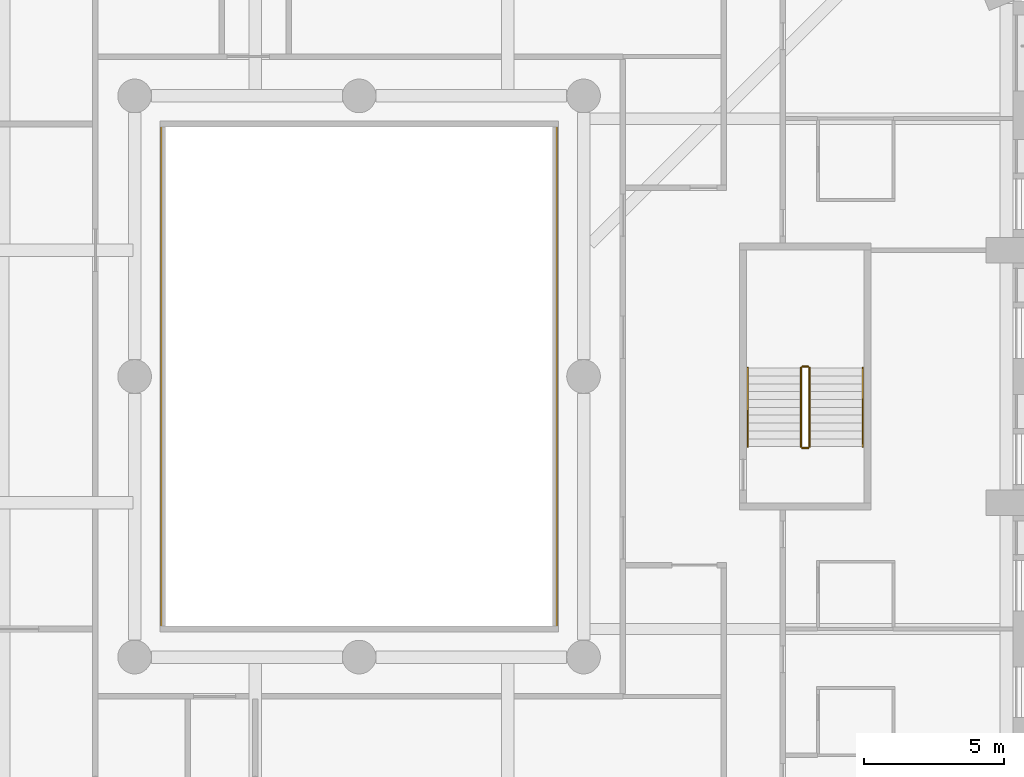
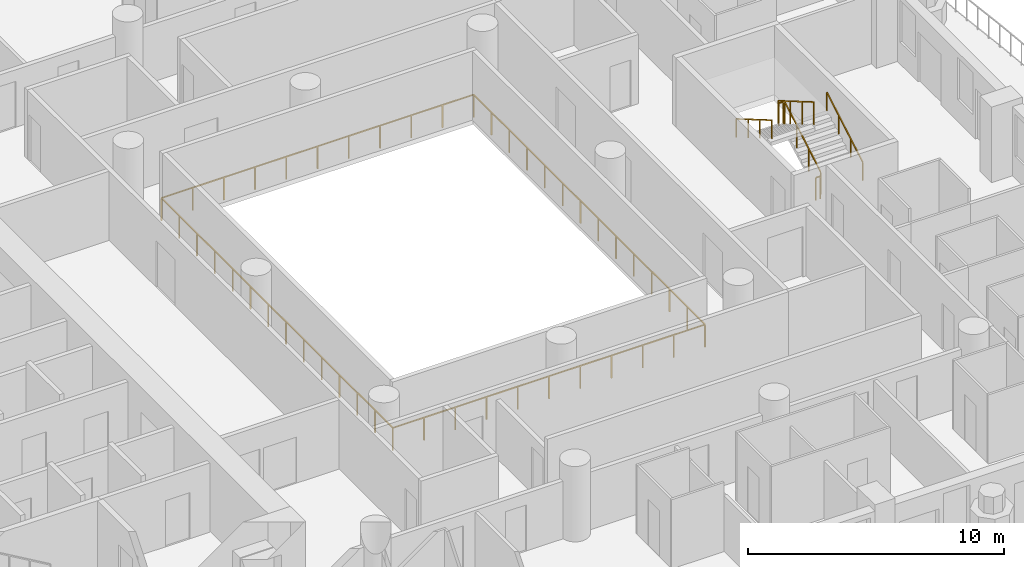
# One storey, part 15 of 20: 7 railings.
"""IFC4 building model written with IfcOpenShell, lengths in metres."""

from ifc_helpers import new_model, si_unit, direction, frame, origin, origin_2d, place, context, subcontext, project, spatial, rectangle, extrude, material, type_object, element, save


model = new_model("IFC4")

# Units and contexts
model_context = context("Model", 3, precision=1e-05, world=origin(), true_north=direction((0.0, 1.0)))
body_context = subcontext(model_context, "Body", "Model", "MODEL_VIEW")
ifc_project = project(units=[si_unit("LENGTHUNIT", "METRE"), si_unit("AREAUNIT", "SQUARE_METRE"), si_unit("VOLUMEUNIT", "CUBIC_METRE"), si_unit("PLANEANGLEUNIT", "RADIAN"), si_unit("MASSUNIT", "GRAM", prefix="KILO")], contexts=[model_context])

# Site, building, storey
site_placement = place(None, origin())
site = spatial("IfcSite", under=ifc_project, at=site_placement, CompositionType="ELEMENT")
building_placement = place(site_placement, origin())
building = spatial("IfcBuilding", under=site, at=building_placement, Name="Cypress Arch Tower", CompositionType="ELEMENT")
storey_placement = place(building_placement, frame((0.0, 0.0, 55.5)))
storey = spatial("IfcBuildingStorey", under=building, at=storey_placement, Name="L07", CompositionType="ELEMENT", Elevation=55.5)

# Railings
ifc_material_1 = material(Name="Stainless steel posts and handrail, laminated glass infill", Category="steel")
railing_type_1 = type_object("IfcRailingType", Name="Atrium guard GR1100A", PredefinedType="GUARDRAIL", material=ifc_material_1)
railing_1_placement = place(storey_placement, frame((8.050048828125, -9.050048828125, 0.0)))
element("IfcRailing", 1, at=railing_1_placement, inside=storey, type_object=railing_type_1, Name="Atrium guard L07", PredefinedType="GUARDRAIL", context=body_context, shape_type="SweptSolid", body=[
    extrude(rectangle(XDim=0.050048828125, YDim=0.050048828125, at=origin_2d()), frame((0.0, 0.0, 1.0751953125), z_axis=(-1.0, 0.0, 0.0), x_axis=(0.0, -1.0, 0.0)), (0.0, 0.0, 1.0), 14.10009765625),
    extrude(rectangle(XDim=0.050048828125, YDim=0.050048828125, at=origin_2d()), frame((-14.10009765625, 0.0, 1.0751953125), z_axis=(0.0, 1.0, 0.0), x_axis=(-1.0, 0.0, 0.0)), (0.0, 0.0, 1.0), 18.10009765625),
    extrude(rectangle(XDim=0.050048828125, YDim=0.050048828125, at=origin_2d()), frame((-14.10009765625, 18.10009765625, 1.0751953125), z_axis=(1.0, 0.0, 0.0), x_axis=(0.0, 1.0, 0.0)), (0.0, 0.0, 1.0), 14.10009765625),
    extrude(rectangle(XDim=0.050048828125, YDim=0.050048828125, at=origin_2d()), frame((0.0, 18.10009765625, 1.0751953125), z_axis=(0.0, -1.0, 0.0), x_axis=(1.0, 0.0, 0.0)), (0.0, 0.0, 1.0), 18.10009765625),
    extrude(rectangle(XDim=0.050048828125, YDim=0.050048828125, at=origin_2d()), origin(), (0.0, 0.0, 1.0), 1.050048828125),
    extrude(rectangle(XDim=0.050048828125, YDim=0.050048828125, at=origin_2d()), frame((-1.409912109375, 0.0, 0.0)), (0.0, 0.0, 1.0), 1.050048828125),
    extrude(rectangle(XDim=0.050048828125, YDim=0.050048828125, at=origin_2d()), frame((-2.820068359375, 0.0, 0.0)), (0.0, 0.0, 1.0), 1.050048828125),
    extrude(rectangle(XDim=0.050048828125, YDim=0.050048828125, at=origin_2d()), frame((-4.22998046875, 0.0, 0.0)), (0.0, 0.0, 1.0), 1.050048828125),
    extrude(rectangle(XDim=0.050048828125, YDim=0.050048828125, at=origin_2d()), frame((-5.64013671875, 0.0, 0.0)), (0.0, 0.0, 1.0), 1.050048828125),
    extrude(rectangle(XDim=0.050048828125, YDim=0.050048828125, at=origin_2d()), frame((-7.050048828125, 0.0, 0.0)), (0.0, 0.0, 1.0), 1.050048828125),
    extrude(rectangle(XDim=0.050048828125, YDim=0.050048828125, at=origin_2d()), frame((-8.4599609375, 0.0, 0.0)), (0.0, 0.0, 1.0), 1.050048828125),
    extrude(rectangle(XDim=0.050048828125, YDim=0.050048828125, at=origin_2d()), frame((-9.8701171875, 0.0, 0.0)), (0.0, 0.0, 1.0), 1.050048828125),
    extrude(rectangle(XDim=0.050048828125, YDim=0.050048828125, at=origin_2d()), frame((-11.280029296875, 0.0, 0.0)), (0.0, 0.0, 1.0), 1.050048828125),
    extrude(rectangle(XDim=0.050048828125, YDim=0.050048828125, at=origin_2d()), frame((-12.690185546875, 0.0, 0.0)), (0.0, 0.0, 1.0), 1.050048828125),
    extrude(rectangle(XDim=0.050048828125, YDim=0.050048828125, at=origin_2d()), frame((-14.10009765625, 0.0, 0.0)), (0.0, 0.0, 1.0), 1.050048828125),
    extrude(rectangle(XDim=0.050048828125, YDim=0.050048828125, at=origin_2d()), frame((-14.10009765625, 1.392333984375, 0.0)), (0.0, 0.0, 1.0), 1.050048828125),
    extrude(rectangle(XDim=0.050048828125, YDim=0.050048828125, at=origin_2d()), frame((-14.10009765625, 2.78466796875, 0.0)), (0.0, 0.0, 1.0), 1.050048828125),
    extrude(rectangle(XDim=0.050048828125, YDim=0.050048828125, at=origin_2d()), frame((-14.10009765625, 4.177001953125, 0.0)), (0.0, 0.0, 1.0), 1.050048828125),
    extrude(rectangle(XDim=0.050048828125, YDim=0.050048828125, at=origin_2d()), frame((-14.10009765625, 5.5693359375, 0.0)), (0.0, 0.0, 1.0), 1.050048828125),
    extrude(rectangle(XDim=0.050048828125, YDim=0.050048828125, at=origin_2d()), frame((-14.10009765625, 6.961669921875, 0.0)), (0.0, 0.0, 1.0), 1.050048828125),
    extrude(rectangle(XDim=0.050048828125, YDim=0.050048828125, at=origin_2d()), frame((-14.10009765625, 8.35400390625, 0.0)), (0.0, 0.0, 1.0), 1.050048828125),
    extrude(rectangle(XDim=0.050048828125, YDim=0.050048828125, at=origin_2d()), frame((-14.10009765625, 9.74609375, 0.0)), (0.0, 0.0, 1.0), 1.050048828125),
    extrude(rectangle(XDim=0.050048828125, YDim=0.050048828125, at=origin_2d()), frame((-14.10009765625, 11.138427734375, 0.0)), (0.0, 0.0, 1.0), 1.050048828125),
    extrude(rectangle(XDim=0.050048828125, YDim=0.050048828125, at=origin_2d()), frame((-14.10009765625, 12.53076171875, 0.0)), (0.0, 0.0, 1.0), 1.050048828125),
    extrude(rectangle(XDim=0.050048828125, YDim=0.050048828125, at=origin_2d()), frame((-14.10009765625, 13.923095703125, 0.0)), (0.0, 0.0, 1.0), 1.050048828125),
    extrude(rectangle(XDim=0.050048828125, YDim=0.050048828125, at=origin_2d()), frame((-14.10009765625, 15.3154296875, 0.0)), (0.0, 0.0, 1.0), 1.050048828125),
    extrude(rectangle(XDim=0.050048828125, YDim=0.050048828125, at=origin_2d()), frame((-14.10009765625, 16.707763671875, 0.0)), (0.0, 0.0, 1.0), 1.050048828125),
    extrude(rectangle(XDim=0.050048828125, YDim=0.050048828125, at=origin_2d()), frame((-14.10009765625, 18.10009765625, 0.0)), (0.0, 0.0, 1.0), 1.050048828125),
    extrude(rectangle(XDim=0.050048828125, YDim=0.050048828125, at=origin_2d()), frame((-12.690185546875, 18.10009765625, 0.0)), (0.0, 0.0, 1.0), 1.050048828125),
    extrude(rectangle(XDim=0.050048828125, YDim=0.050048828125, at=origin_2d()), frame((-11.280029296875, 18.10009765625, 0.0)), (0.0, 0.0, 1.0), 1.050048828125),
    extrude(rectangle(XDim=0.050048828125, YDim=0.050048828125, at=origin_2d()), frame((-9.8701171875, 18.10009765625, 0.0)), (0.0, 0.0, 1.0), 1.050048828125),
    extrude(rectangle(XDim=0.050048828125, YDim=0.050048828125, at=origin_2d()), frame((-8.4599609375, 18.10009765625, 0.0)), (0.0, 0.0, 1.0), 1.050048828125),
    extrude(rectangle(XDim=0.050048828125, YDim=0.050048828125, at=origin_2d()), frame((-7.050048828125, 18.10009765625, 0.0)), (0.0, 0.0, 1.0), 1.050048828125),
    extrude(rectangle(XDim=0.050048828125, YDim=0.050048828125, at=origin_2d()), frame((-5.64013671875, 18.10009765625, 0.0)), (0.0, 0.0, 1.0), 1.050048828125),
    extrude(rectangle(XDim=0.050048828125, YDim=0.050048828125, at=origin_2d()), frame((-4.22998046875, 18.10009765625, 0.0)), (0.0, 0.0, 1.0), 1.050048828125),
    extrude(rectangle(XDim=0.050048828125, YDim=0.050048828125, at=origin_2d()), frame((-2.820068359375, 18.10009765625, 0.0)), (0.0, 0.0, 1.0), 1.050048828125),
    extrude(rectangle(XDim=0.050048828125, YDim=0.050048828125, at=origin_2d()), frame((-1.409912109375, 18.10009765625, 0.0)), (0.0, 0.0, 1.0), 1.050048828125),
    extrude(rectangle(XDim=0.050048828125, YDim=0.050048828125, at=origin_2d()), frame((0.0, 18.10009765625, 0.0)), (0.0, 0.0, 1.0), 1.050048828125),
    extrude(rectangle(XDim=0.050048828125, YDim=0.050048828125, at=origin_2d()), frame((0.0, 16.707763671875, 0.0)), (0.0, 0.0, 1.0), 1.050048828125),
    extrude(rectangle(XDim=0.050048828125, YDim=0.050048828125, at=origin_2d()), frame((0.0, 15.3154296875, 0.0)), (0.0, 0.0, 1.0), 1.050048828125),
    extrude(rectangle(XDim=0.050048828125, YDim=0.050048828125, at=origin_2d()), frame((0.0, 13.923095703125, 0.0)), (0.0, 0.0, 1.0), 1.050048828125),
    extrude(rectangle(XDim=0.050048828125, YDim=0.050048828125, at=origin_2d()), frame((0.0, 12.53076171875, 0.0)), (0.0, 0.0, 1.0), 1.050048828125),
    extrude(rectangle(XDim=0.050048828125, YDim=0.050048828125, at=origin_2d()), frame((0.0, 11.138427734375, 0.0)), (0.0, 0.0, 1.0), 1.050048828125),
    extrude(rectangle(XDim=0.050048828125, YDim=0.050048828125, at=origin_2d()), frame((0.0, 9.74609375, 0.0)), (0.0, 0.0, 1.0), 1.050048828125),
    extrude(rectangle(XDim=0.050048828125, YDim=0.050048828125, at=origin_2d()), frame((0.0, 8.35400390625, 0.0)), (0.0, 0.0, 1.0), 1.050048828125),
    extrude(rectangle(XDim=0.050048828125, YDim=0.050048828125, at=origin_2d()), frame((0.0, 6.961669921875, 0.0)), (0.0, 0.0, 1.0), 1.050048828125),
    extrude(rectangle(XDim=0.050048828125, YDim=0.050048828125, at=origin_2d()), frame((0.0, 5.5693359375, 0.0)), (0.0, 0.0, 1.0), 1.050048828125),
    extrude(rectangle(XDim=0.050048828125, YDim=0.050048828125, at=origin_2d()), frame((0.0, 4.177001953125, 0.0)), (0.0, 0.0, 1.0), 1.050048828125),
    extrude(rectangle(XDim=0.050048828125, YDim=0.050048828125, at=origin_2d()), frame((0.0, 2.78466796875, 0.0)), (0.0, 0.0, 1.0), 1.050048828125),
    extrude(rectangle(XDim=0.050048828125, YDim=0.050048828125, at=origin_2d()), frame((0.0, 1.392333984375, 0.0)), (0.0, 0.0, 1.0), 1.050048828125),
])
ifc_material_2 = material(Name="Black powder-coated steel square bar 48 mm", Category="steel")
railing_type_2 = type_object("IfcRailingType", Name="Stair handrail HR1", PredefinedType="HANDRAIL", material=ifc_material_2)
railing_2_placement = place(storey_placement, frame((18.949951171875, -2.5, 0.16357421875)))
element("IfcRailing", 2, at=railing_2_placement, inside=storey, type_object=railing_type_2, Name="L07 C stair handrail 1", PredefinedType="HANDRAIL", context=body_context, shape_type="SweptSolid", body=[
    extrude(rectangle(XDim=0.048095703125, YDim=0.048095703125, at=origin_2d()), frame((0.0, 0.0, 0.8759765625), z_axis=(0.0, 0.863360870873, 0.504586966384), x_axis=(-1.0, 0.0, 0.0)), (0.0, 0.0, 1.0), 3.2431640625),
    extrude(rectangle(XDim=0.0419921875, YDim=0.0419921875, at=origin_2d()), origin(), (0.0, 0.0, 1.0), 0.851806640625),
    extrude(rectangle(XDim=0.0419921875, YDim=0.0419921875, at=origin_2d()), frame((0.0, 0.933349609375, 0.54541015625)), (0.0, 0.0, 1.0), 0.851806640625),
    extrude(rectangle(XDim=0.0419921875, YDim=0.0419921875, at=origin_2d()), frame((0.0, 1.86669921875, 1.091064453125)), (0.0, 0.0, 1.0), 0.851806640625),
    extrude(rectangle(XDim=0.0419921875, YDim=0.0419921875, at=origin_2d()), frame((0.0, 2.800048828125, 1.636474609375)), (0.0, 0.0, 1.0), 0.851806640625),
])
railing_3_placement = place(storey_placement, frame((14.85009765625, 0.300048828125, 1.963623046875)))
element("IfcRailing", 3, at=railing_3_placement, inside=storey, type_object=railing_type_2, Name="L07 C stair handrail 2", PredefinedType="HANDRAIL", context=body_context, shape_type="SweptSolid", body=[
    extrude(rectangle(XDim=0.048095703125, YDim=0.048095703125, at=origin_2d()), frame((0.0, 0.0, 0.8759765625), z_axis=(0.0, -0.863360870873, 0.504586966384), x_axis=(1.0, 0.0, 0.0)), (0.0, 0.0, 1.0), 3.2431640625),
    extrude(rectangle(XDim=0.0419921875, YDim=0.0419921875, at=origin_2d()), origin(), (0.0, 0.0, 1.0), 0.851806640625),
    extrude(rectangle(XDim=0.0419921875, YDim=0.0419921875, at=origin_2d()), frame((0.0, -0.933349609375, 0.54541015625)), (0.0, 0.0, 1.0), 0.851806640625),
    extrude(rectangle(XDim=0.0419921875, YDim=0.0419921875, at=origin_2d()), frame((0.0, -1.86669921875, 1.091064453125)), (0.0, 0.0, 1.0), 0.851806640625),
    extrude(rectangle(XDim=0.0419921875, YDim=0.0419921875, at=origin_2d()), frame((0.0, -2.800048828125, 1.636474609375)), (0.0, 0.0, 1.0), 0.851806640625),
])
ifc_material_3 = material(Name="Black powder-coated steel balusters", Category="steel")
railing_type_3 = type_object("IfcRailingType", Name="Stair well guard G1", PredefinedType="GUARDRAIL", material=ifc_material_3)
railing_4_placement = place(storey_placement, frame((17.050048828125, -2.5, 0.16357421875)))
element("IfcRailing", 4, at=railing_4_placement, inside=storey, type_object=railing_type_3, Name="L07 C stair guard 1", PredefinedType="GUARDRAIL", context=body_context, shape_type="SweptSolid", body=[
    extrude(rectangle(XDim=0.048095703125, YDim=0.048095703125, at=origin_2d()), frame((0.0, 0.0, 1.076171875), z_axis=(0.0, 0.863360870873, 0.504586966384), x_axis=(-1.0, 0.0, 0.0)), (0.0, 0.0, 1.0), 3.2431640625),
    extrude(rectangle(XDim=0.0419921875, YDim=0.0419921875, at=origin_2d()), origin(), (0.0, 0.0, 1.0), 1.052001953125),
    extrude(rectangle(XDim=0.0419921875, YDim=0.0419921875, at=origin_2d()), frame((0.0, 0.933349609375, 0.54541015625)), (0.0, 0.0, 1.0), 1.052001953125),
    extrude(rectangle(XDim=0.0419921875, YDim=0.0419921875, at=origin_2d()), frame((0.0, 1.86669921875, 1.091064453125)), (0.0, 0.0, 1.0), 1.052001953125),
    extrude(rectangle(XDim=0.0419921875, YDim=0.0419921875, at=origin_2d()), frame((0.0, 2.800048828125, 1.636474609375)), (0.0, 0.0, 1.0), 1.052001953125),
])
railing_5_placement = place(storey_placement, frame((17.0, 0.35009765625, 1.800048828125)))
element("IfcRailing", 5, at=railing_5_placement, inside=storey, type_object=railing_type_3, Name="L07 C stair guard 2", PredefinedType="GUARDRAIL", context=body_context, shape_type="SweptSolid", body=[
    extrude(rectangle(XDim=0.048095703125, YDim=0.048095703125, at=origin_2d()), frame((0.0, 0.0, 1.076171875), z_axis=(-1.0, 0.0, 0.0), x_axis=(0.0, -1.0, 0.0)), (0.0, 0.0, 1.0), 0.199951171875),
    extrude(rectangle(XDim=0.0419921875, YDim=0.0419921875, at=origin_2d()), origin(), (0.0, 0.0, 1.0), 1.052001953125),
    extrude(rectangle(XDim=0.0419921875, YDim=0.0419921875, at=origin_2d()), frame((-0.199951171875, 0.0, 0.0)), (0.0, 0.0, 1.0), 1.052001953125),
])
railing_6_placement = place(storey_placement, frame((16.75, 0.300048828125, 1.963623046875)))
element("IfcRailing", 6, at=railing_6_placement, inside=storey, type_object=railing_type_3, Name="L07 C stair guard 3", PredefinedType="GUARDRAIL", context=body_context, shape_type="SweptSolid", body=[
    extrude(rectangle(XDim=0.048095703125, YDim=0.048095703125, at=origin_2d()), frame((0.0, 0.0, 1.076171875), z_axis=(0.0, -0.863360870873, 0.504586966384), x_axis=(1.0, 0.0, 0.0)), (0.0, 0.0, 1.0), 3.2431640625),
    extrude(rectangle(XDim=0.0419921875, YDim=0.0419921875, at=origin_2d()), origin(), (0.0, 0.0, 1.0), 1.052001953125),
    extrude(rectangle(XDim=0.0419921875, YDim=0.0419921875, at=origin_2d()), frame((0.0, -0.933349609375, 0.54541015625)), (0.0, 0.0, 1.0), 1.052001953125),
    extrude(rectangle(XDim=0.0419921875, YDim=0.0419921875, at=origin_2d()), frame((0.0, -1.86669921875, 1.091064453125)), (0.0, 0.0, 1.0), 1.052001953125),
    extrude(rectangle(XDim=0.0419921875, YDim=0.0419921875, at=origin_2d()), frame((0.0, -2.800048828125, 1.636474609375)), (0.0, 0.0, 1.0), 1.052001953125),
])
railing_7_placement = place(storey_placement, frame((17.0, -2.550048828125, 0.0)))
element("IfcRailing", 7, at=railing_7_placement, inside=storey, type_object=railing_type_3, Name="L07 C stair guard 4", PredefinedType="GUARDRAIL", context=body_context, shape_type="SweptSolid", body=[
    extrude(rectangle(XDim=0.048095703125, YDim=0.048095703125, at=origin_2d()), frame((0.0, 0.0, 1.076171875), z_axis=(-1.0, 0.0, 0.0), x_axis=(0.0, -1.0, 0.0)), (0.0, 0.0, 1.0), 0.199951171875),
    extrude(rectangle(XDim=0.0419921875, YDim=0.0419921875, at=origin_2d()), origin(), (0.0, 0.0, 1.0), 1.052001953125),
    extrude(rectangle(XDim=0.0419921875, YDim=0.0419921875, at=origin_2d()), frame((-0.199951171875, 0.0, 0.0)), (0.0, 0.0, 1.0), 1.052001953125),
])

save(model, "model.ifc")
